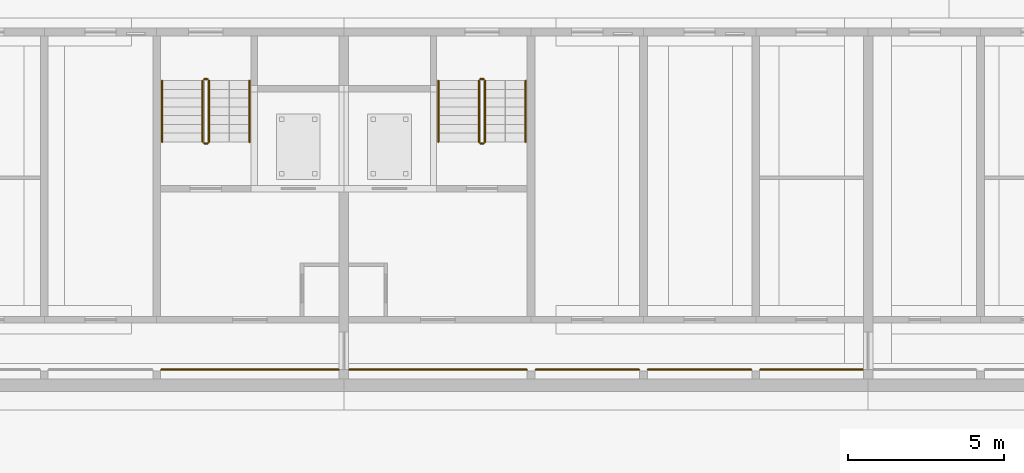
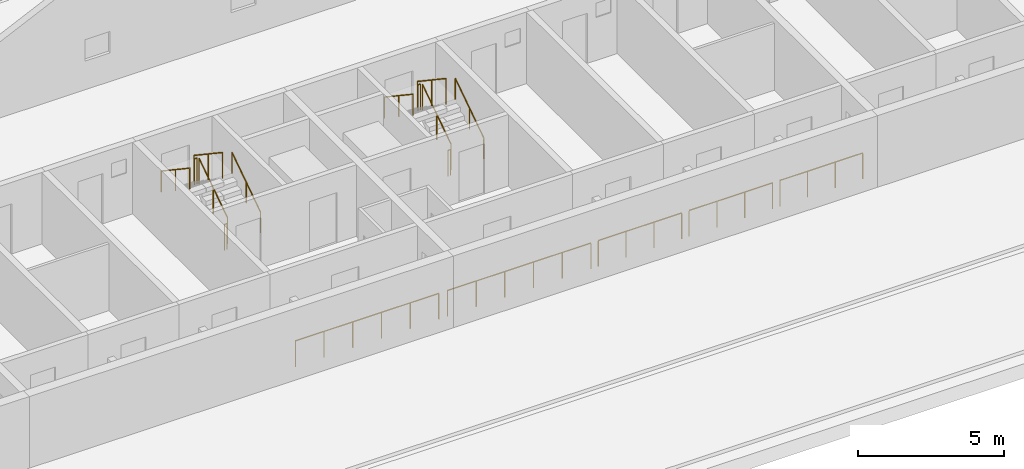
# One storey, part 88 of 112: 17 railings.
"""IFC4 building model written with IfcOpenShell, lengths in metres."""

from ifc_helpers import new_model, si_unit, direction, frame, origin, origin_2d, place, context, subcontext, project, spatial, circle, extrude, material, type_object, element, save


model = new_model("IFC4")

# Units and contexts
model_context = context("Model", 3, precision=1e-05, world=origin(), true_north=direction((0.0, 1.0)))
body_context = subcontext(model_context, "Body", "Model", "MODEL_VIEW")
ifc_project = project(units=[si_unit("LENGTHUNIT", "METRE"), si_unit("AREAUNIT", "SQUARE_METRE"), si_unit("VOLUMEUNIT", "CUBIC_METRE"), si_unit("PLANEANGLEUNIT", "RADIAN"), si_unit("MASSUNIT", "GRAM", prefix="KILO")], contexts=[model_context])

# Site, building, storey
site_placement = place(None, origin())
site = spatial("IfcSite", under=ifc_project, at=site_placement, CompositionType="ELEMENT")
building_placement = place(site_placement, origin())
building = spatial("IfcBuilding", under=site, at=building_placement, Name="Ridgestep Commons", CompositionType="ELEMENT")
storey_placement = place(building_placement, origin())
storey = spatial("IfcBuildingStorey", under=building, at=storey_placement, Name="L00", CompositionType="ELEMENT", Elevation=0.0)

# Railings
ifc_material_1 = material(Name="Structural steel S355JR galvanised", Category="steel")
railing_type_1 = type_object("IfcRailingType", Name="Passage guard 1100", PredefinedType="GUARDRAIL", material=ifc_material_1)
railing_1_placement = place(storey_placement, frame((39.74609375, 12.050048828125, 0.0)))
element("IfcRailing", 1, at=railing_1_placement, inside=storey, type_object=railing_type_1, Name="Passage guard A 00.8", PredefinedType="GUARDRAIL", context=body_context, shape_type="SweptSolid", body=[
    extrude(circle(Radius=0.02392578125, at=origin_2d()), frame((0.0, 0.0, 1.076171875), z_axis=(1.0, 0.0, 0.0), x_axis=(0.0, 1.0, 0.0)), (0.0, 0.0, 1.0), 5.682861328125),
    extrude(circle(Radius=0.02099609375, at=origin_2d()), origin(), (0.0, 0.0, 1.0), 1.052001953125),
    extrude(circle(Radius=0.02099609375, at=origin_2d()), frame((1.136474609375, 0.0, 0.0)), (0.0, 0.0, 1.0), 1.052001953125),
    extrude(circle(Radius=0.02099609375, at=origin_2d()), frame((2.273193359375, 0.0, 0.0)), (0.0, 0.0, 1.0), 1.052001953125),
    extrude(circle(Radius=0.02099609375, at=origin_2d()), frame((3.40966796875, 0.0, 0.0)), (0.0, 0.0, 1.0), 1.052001953125),
    extrude(circle(Radius=0.02099609375, at=origin_2d()), frame((4.54638671875, 0.0, 0.0)), (0.0, 0.0, 1.0), 1.052001953125),
    extrude(circle(Radius=0.02099609375, at=origin_2d()), frame((5.682861328125, 0.0, 0.0)), (0.0, 0.0, 1.0), 1.052001953125),
])
railing_2_placement = place(storey_placement, frame((45.77099609375, 12.050048828125, 0.0)))
element("IfcRailing", 2, at=railing_2_placement, inside=storey, type_object=railing_type_1, Name="Passage guard A 00.9", PredefinedType="GUARDRAIL", context=body_context, shape_type="SweptSolid", body=[
    extrude(circle(Radius=0.02392578125, at=origin_2d()), frame((0.0, 0.0, 1.076171875), z_axis=(1.0, 0.0, 0.0), x_axis=(0.0, 1.0, 0.0)), (0.0, 0.0, 1.0), 5.68310546875),
    extrude(circle(Radius=0.02099609375, at=origin_2d()), origin(), (0.0, 0.0, 1.0), 1.052001953125),
    extrude(circle(Radius=0.02099609375, at=origin_2d()), frame((1.13671875, 0.0, 0.0)), (0.0, 0.0, 1.0), 1.052001953125),
    extrude(circle(Radius=0.02099609375, at=origin_2d()), frame((2.273193359375, 0.0, 0.0)), (0.0, 0.0, 1.0), 1.052001953125),
    extrude(circle(Radius=0.02099609375, at=origin_2d()), frame((3.409912109375, 0.0, 0.0)), (0.0, 0.0, 1.0), 1.052001953125),
    extrude(circle(Radius=0.02099609375, at=origin_2d()), frame((4.54638671875, 0.0, 0.0)), (0.0, 0.0, 1.0), 1.052001953125),
    extrude(circle(Radius=0.02099609375, at=origin_2d()), frame((5.68310546875, 0.0, 0.0)), (0.0, 0.0, 1.0), 1.052001953125),
])
railing_3_placement = place(storey_placement, frame((51.74609375, 12.050048828125, 0.0)))
element("IfcRailing", 3, at=railing_3_placement, inside=storey, type_object=railing_type_1, Name="Passage guard A 00.10", PredefinedType="GUARDRAIL", context=body_context, shape_type="SweptSolid", body=[
    extrude(circle(Radius=0.02392578125, at=origin_2d()), frame((0.0, 0.0, 1.076171875), z_axis=(1.0, 0.0, 0.0), x_axis=(0.0, 1.0, 0.0)), (0.0, 0.0, 1.0), 3.307861328125),
    extrude(circle(Radius=0.02099609375, at=origin_2d()), origin(), (0.0, 0.0, 1.0), 1.052001953125),
    extrude(circle(Radius=0.02099609375, at=origin_2d()), frame((1.1025390625, 0.0, 0.0)), (0.0, 0.0, 1.0), 1.052001953125),
    extrude(circle(Radius=0.02099609375, at=origin_2d()), frame((2.205322265625, 0.0, 0.0)), (0.0, 0.0, 1.0), 1.052001953125),
    extrude(circle(Radius=0.02099609375, at=origin_2d()), frame((3.307861328125, 0.0, 0.0)), (0.0, 0.0, 1.0), 1.052001953125),
])
railing_4_placement = place(storey_placement, frame((55.345947265625, 12.050048828125, 0.0)))
element("IfcRailing", 4, at=railing_4_placement, inside=storey, type_object=railing_type_1, Name="Passage guard A 00.11", PredefinedType="GUARDRAIL", context=body_context, shape_type="SweptSolid", body=[
    extrude(circle(Radius=0.02392578125, at=origin_2d()), frame((0.0, 0.0, 1.076171875), z_axis=(1.0, 0.0, 0.0), x_axis=(0.0, 1.0, 0.0)), (0.0, 0.0, 1.0), 3.30810546875),
    extrude(circle(Radius=0.02099609375, at=origin_2d()), origin(), (0.0, 0.0, 1.0), 1.052001953125),
    extrude(circle(Radius=0.02099609375, at=origin_2d()), frame((1.102783203125, 0.0, 0.0)), (0.0, 0.0, 1.0), 1.052001953125),
    extrude(circle(Radius=0.02099609375, at=origin_2d()), frame((2.205322265625, 0.0, 0.0)), (0.0, 0.0, 1.0), 1.052001953125),
    extrude(circle(Radius=0.02099609375, at=origin_2d()), frame((3.30810546875, 0.0, 0.0)), (0.0, 0.0, 1.0), 1.052001953125),
])
railing_5_placement = place(storey_placement, frame((58.946044921875, 12.050048828125, 0.0)))
element("IfcRailing", 5, at=railing_5_placement, inside=storey, type_object=railing_type_1, Name="Passage guard A 00.12", PredefinedType="GUARDRAIL", context=body_context, shape_type="SweptSolid", body=[
    extrude(circle(Radius=0.02392578125, at=origin_2d()), frame((0.0, 0.0, 1.076171875), z_axis=(1.0, 0.0, 0.0), x_axis=(0.0, 1.0, 0.0)), (0.0, 0.0, 1.0), 3.282958984375),
    extrude(circle(Radius=0.02099609375, at=origin_2d()), origin(), (0.0, 0.0, 1.0), 1.052001953125),
    extrude(circle(Radius=0.02099609375, at=origin_2d()), frame((1.09423828125, 0.0, 0.0)), (0.0, 0.0, 1.0), 1.052001953125),
    extrude(circle(Radius=0.02099609375, at=origin_2d()), frame((2.188720703125, 0.0, 0.0)), (0.0, 0.0, 1.0), 1.052001953125),
    extrude(circle(Radius=0.02099609375, at=origin_2d()), frame((3.282958984375, 0.0, 0.0)), (0.0, 0.0, 1.0), 1.052001953125),
])
ifc_material_2 = material(Name="Structural steel S355JR", Category="steel")
railing_type_2 = type_object("IfcRailingType", Name="Stair guard 1100", PredefinedType="GUARDRAIL", material=ifc_material_2)
railing_6_placement = place(storey_placement, frame((41.27490234375, 19.35009765625, 0.1875)))
element("IfcRailing", 6, at=railing_6_placement, inside=storey, type_object=railing_type_2, Name="L00 A2C stair guard 1", PredefinedType="GUARDRAIL", context=body_context, shape_type="SweptSolid", body=[
    extrude(circle(Radius=0.02392578125, at=origin_2d()), frame((0.0, 0.0, 1.076171875), z_axis=(0.0, 0.830902050051, 0.556418712142), x_axis=(-1.0, 0.0, 0.0)), (0.0, 0.0, 1.0), 2.35888671875),
    extrude(circle(Radius=0.02099609375, at=origin_2d()), origin(), (0.0, 0.0, 1.0), 1.052001953125),
    extrude(circle(Radius=0.02099609375, at=origin_2d()), frame((0.0, 0.97998046875, 0.65625)), (0.0, 0.0, 1.0), 1.052001953125),
    extrude(circle(Radius=0.02099609375, at=origin_2d()), frame((0.0, 1.9599609375, 1.3125)), (0.0, 0.0, 1.0), 1.052001953125),
])
railing_7_placement = place(storey_placement, frame((41.22509765625, 21.360107421875, 1.5)))
element("IfcRailing", 7, at=railing_7_placement, inside=storey, type_object=railing_type_2, Name="L00 A2C stair guard 2", PredefinedType="GUARDRAIL", context=body_context, shape_type="SweptSolid", body=[
    extrude(circle(Radius=0.02392578125, at=origin_2d()), frame((0.0, 0.0, 1.076171875), z_axis=(-1.0, 0.0, 0.0), x_axis=(0.0, -1.0, 0.0)), (0.0, 0.0, 1.0), 0.10009765625),
    extrude(circle(Radius=0.02099609375, at=origin_2d()), origin(), (0.0, 0.0, 1.0), 1.052001953125),
    extrude(circle(Radius=0.02099609375, at=origin_2d()), frame((-0.10009765625, 0.0, 0.0)), (0.0, 0.0, 1.0), 1.052001953125),
])
railing_8_placement = place(storey_placement, frame((41.074951171875, 21.31005859375, 1.6875)))
element("IfcRailing", 8, at=railing_8_placement, inside=storey, type_object=railing_type_2, Name="L00 A2C stair guard 3", PredefinedType="GUARDRAIL", context=body_context, shape_type="SweptSolid", body=[
    extrude(circle(Radius=0.02392578125, at=origin_2d()), frame((0.0, 0.0, 1.076171875), z_axis=(0.0, -0.830902050051, 0.556418712142), x_axis=(1.0, 0.0, 0.0)), (0.0, 0.0, 1.0), 2.35888671875),
    extrude(circle(Radius=0.02099609375, at=origin_2d()), origin(), (0.0, 0.0, 1.0), 1.052001953125),
    extrude(circle(Radius=0.02099609375, at=origin_2d()), frame((0.0, -0.97998046875, 0.65625)), (0.0, 0.0, 1.0), 1.052001953125),
    extrude(circle(Radius=0.02099609375, at=origin_2d()), frame((0.0, -1.9599609375, 1.3125)), (0.0, 0.0, 1.0), 1.052001953125),
])
railing_9_placement = place(storey_placement, frame((41.22509765625, 19.300048828125, 0.0)))
element("IfcRailing", 9, at=railing_9_placement, inside=storey, type_object=railing_type_2, Name="L00 A2C stair guard 4", PredefinedType="GUARDRAIL", context=body_context, shape_type="SweptSolid", body=[
    extrude(circle(Radius=0.02392578125, at=origin_2d()), frame((0.0, 0.0, 1.076171875), z_axis=(-1.0, 0.0, 0.0), x_axis=(0.0, -1.0, 0.0)), (0.0, 0.0, 1.0), 0.10009765625),
    extrude(circle(Radius=0.02099609375, at=origin_2d()), origin(), (0.0, 0.0, 1.0), 1.052001953125),
    extrude(circle(Radius=0.02099609375, at=origin_2d()), frame((-0.10009765625, 0.0, 0.0)), (0.0, 0.0, 1.0), 1.052001953125),
])
railing_10_placement = place(storey_placement, frame((50.125, 19.35009765625, 0.1875)))
element("IfcRailing", 10, at=railing_10_placement, inside=storey, type_object=railing_type_2, Name="L00 A3C stair guard 1", PredefinedType="GUARDRAIL", context=body_context, shape_type="SweptSolid", body=[
    extrude(circle(Radius=0.02392578125, at=origin_2d()), frame((0.0, 0.0, 1.076171875), z_axis=(0.0, 0.830902050051, 0.556418712142), x_axis=(-1.0, 0.0, 0.0)), (0.0, 0.0, 1.0), 2.35888671875),
    extrude(circle(Radius=0.02099609375, at=origin_2d()), origin(), (0.0, 0.0, 1.0), 1.052001953125),
    extrude(circle(Radius=0.02099609375, at=origin_2d()), frame((0.0, 0.97998046875, 0.65625)), (0.0, 0.0, 1.0), 1.052001953125),
    extrude(circle(Radius=0.02099609375, at=origin_2d()), frame((0.0, 1.9599609375, 1.3125)), (0.0, 0.0, 1.0), 1.052001953125),
])
railing_11_placement = place(storey_placement, frame((50.074951171875, 21.360107421875, 1.5)))
element("IfcRailing", 11, at=railing_11_placement, inside=storey, type_object=railing_type_2, Name="L00 A3C stair guard 2", PredefinedType="GUARDRAIL", context=body_context, shape_type="SweptSolid", body=[
    extrude(circle(Radius=0.02392578125, at=origin_2d()), frame((0.0, 0.0, 1.076171875), z_axis=(-1.0, 0.0, 0.0), x_axis=(0.0, -1.0, 0.0)), (0.0, 0.0, 1.0), 0.099853515625),
    extrude(circle(Radius=0.02099609375, at=origin_2d()), origin(), (0.0, 0.0, 1.0), 1.052001953125),
    extrude(circle(Radius=0.02099609375, at=origin_2d()), frame((-0.099853515625, 0.0, 0.0)), (0.0, 0.0, 1.0), 1.052001953125),
])
railing_12_placement = place(storey_placement, frame((49.925048828125, 21.31005859375, 1.6875)))
element("IfcRailing", 12, at=railing_12_placement, inside=storey, type_object=railing_type_2, Name="L00 A3C stair guard 3", PredefinedType="GUARDRAIL", context=body_context, shape_type="SweptSolid", body=[
    extrude(circle(Radius=0.02392578125, at=origin_2d()), frame((0.0, 0.0, 1.076171875), z_axis=(0.0, -0.830902050051, 0.556418712142), x_axis=(1.0, 0.0, 0.0)), (0.0, 0.0, 1.0), 2.35888671875),
    extrude(circle(Radius=0.02099609375, at=origin_2d()), origin(), (0.0, 0.0, 1.0), 1.052001953125),
    extrude(circle(Radius=0.02099609375, at=origin_2d()), frame((0.0, -0.97998046875, 0.65625)), (0.0, 0.0, 1.0), 1.052001953125),
    extrude(circle(Radius=0.02099609375, at=origin_2d()), frame((0.0, -1.9599609375, 1.3125)), (0.0, 0.0, 1.0), 1.052001953125),
])
railing_13_placement = place(storey_placement, frame((50.074951171875, 19.300048828125, 0.0)))
element("IfcRailing", 13, at=railing_13_placement, inside=storey, type_object=railing_type_2, Name="L00 A3C stair guard 4", PredefinedType="GUARDRAIL", context=body_context, shape_type="SweptSolid", body=[
    extrude(circle(Radius=0.02392578125, at=origin_2d()), frame((0.0, 0.0, 1.076171875), z_axis=(-1.0, 0.0, 0.0), x_axis=(0.0, -1.0, 0.0)), (0.0, 0.0, 1.0), 0.099853515625),
    extrude(circle(Radius=0.02099609375, at=origin_2d()), origin(), (0.0, 0.0, 1.0), 1.052001953125),
    extrude(circle(Radius=0.02099609375, at=origin_2d()), frame((-0.099853515625, 0.0, 0.0)), (0.0, 0.0, 1.0), 1.052001953125),
])
ifc_material_3 = material(Name="Structural steel S355JR", Category="steel")
railing_type_3 = type_object("IfcRailingType", Name="Stair handrail 900", PredefinedType="HANDRAIL", material=ifc_material_3)
railing_14_placement = place(storey_placement, frame((42.574951171875, 19.35009765625, 0.1875)))
element("IfcRailing", 14, at=railing_14_placement, inside=storey, type_object=railing_type_3, Name="L00 A2C stair handrail 1", PredefinedType="HANDRAIL", context=body_context, shape_type="SweptSolid", body=[
    extrude(circle(Radius=0.02392578125, at=origin_2d()), frame((0.0, 0.0, 0.8759765625), z_axis=(0.0, 0.830902050051, 0.556418712142), x_axis=(-1.0, 0.0, 0.0)), (0.0, 0.0, 1.0), 2.35888671875),
    extrude(circle(Radius=0.02099609375, at=origin_2d()), origin(), (0.0, 0.0, 1.0), 0.851806640625),
    extrude(circle(Radius=0.02099609375, at=origin_2d()), frame((0.0, 0.97998046875, 0.65625)), (0.0, 0.0, 1.0), 0.851806640625),
    extrude(circle(Radius=0.02099609375, at=origin_2d()), frame((0.0, 1.9599609375, 1.3125)), (0.0, 0.0, 1.0), 0.851806640625),
])
railing_15_placement = place(storey_placement, frame((39.77490234375, 21.31005859375, 1.6875)))
element("IfcRailing", 15, at=railing_15_placement, inside=storey, type_object=railing_type_3, Name="L00 A2C stair handrail 2", PredefinedType="HANDRAIL", context=body_context, shape_type="SweptSolid", body=[
    extrude(circle(Radius=0.02392578125, at=origin_2d()), frame((0.0, 0.0, 0.8759765625), z_axis=(0.0, -0.830902050051, 0.556418712142), x_axis=(1.0, 0.0, 0.0)), (0.0, 0.0, 1.0), 2.35888671875),
    extrude(circle(Radius=0.02099609375, at=origin_2d()), origin(), (0.0, 0.0, 1.0), 0.851806640625),
    extrude(circle(Radius=0.02099609375, at=origin_2d()), frame((0.0, -0.97998046875, 0.65625)), (0.0, 0.0, 1.0), 0.851806640625),
    extrude(circle(Radius=0.02099609375, at=origin_2d()), frame((0.0, -1.9599609375, 1.3125)), (0.0, 0.0, 1.0), 0.851806640625),
])
railing_16_placement = place(storey_placement, frame((51.425048828125, 19.35009765625, 0.1875)))
element("IfcRailing", 16, at=railing_16_placement, inside=storey, type_object=railing_type_3, Name="L00 A3C stair handrail 1", PredefinedType="HANDRAIL", context=body_context, shape_type="SweptSolid", body=[
    extrude(circle(Radius=0.02392578125, at=origin_2d()), frame((0.0, 0.0, 0.8759765625), z_axis=(0.0, 0.830902050051, 0.556418712142), x_axis=(-1.0, 0.0, 0.0)), (0.0, 0.0, 1.0), 2.35888671875),
    extrude(circle(Radius=0.02099609375, at=origin_2d()), origin(), (0.0, 0.0, 1.0), 0.851806640625),
    extrude(circle(Radius=0.02099609375, at=origin_2d()), frame((0.0, 0.97998046875, 0.65625)), (0.0, 0.0, 1.0), 0.851806640625),
    extrude(circle(Radius=0.02099609375, at=origin_2d()), frame((0.0, 1.9599609375, 1.3125)), (0.0, 0.0, 1.0), 0.851806640625),
])
railing_17_placement = place(storey_placement, frame((48.625, 21.31005859375, 1.6875)))
element("IfcRailing", 17, at=railing_17_placement, inside=storey, type_object=railing_type_3, Name="L00 A3C stair handrail 2", PredefinedType="HANDRAIL", context=body_context, shape_type="SweptSolid", body=[
    extrude(circle(Radius=0.02392578125, at=origin_2d()), frame((0.0, 0.0, 0.8759765625), z_axis=(0.0, -0.830902050051, 0.556418712142), x_axis=(1.0, 0.0, 0.0)), (0.0, 0.0, 1.0), 2.35888671875),
    extrude(circle(Radius=0.02099609375, at=origin_2d()), origin(), (0.0, 0.0, 1.0), 0.851806640625),
    extrude(circle(Radius=0.02099609375, at=origin_2d()), frame((0.0, -0.97998046875, 0.65625)), (0.0, 0.0, 1.0), 0.851806640625),
    extrude(circle(Radius=0.02099609375, at=origin_2d()), frame((0.0, -1.9599609375, 1.3125)), (0.0, 0.0, 1.0), 0.851806640625),
])

save(model, "model.ifc")
